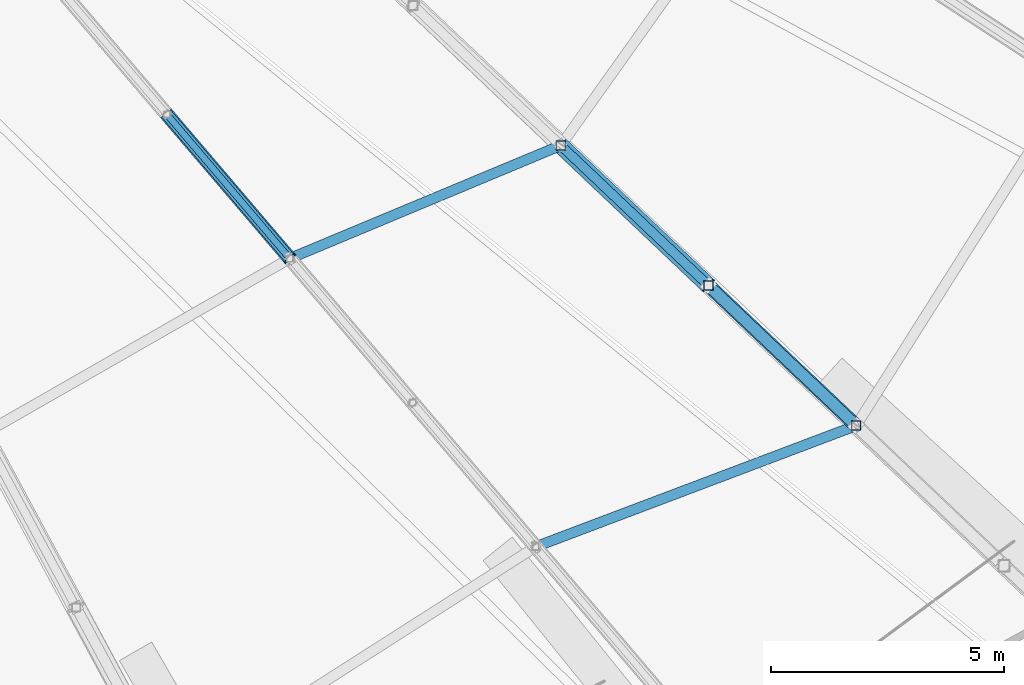
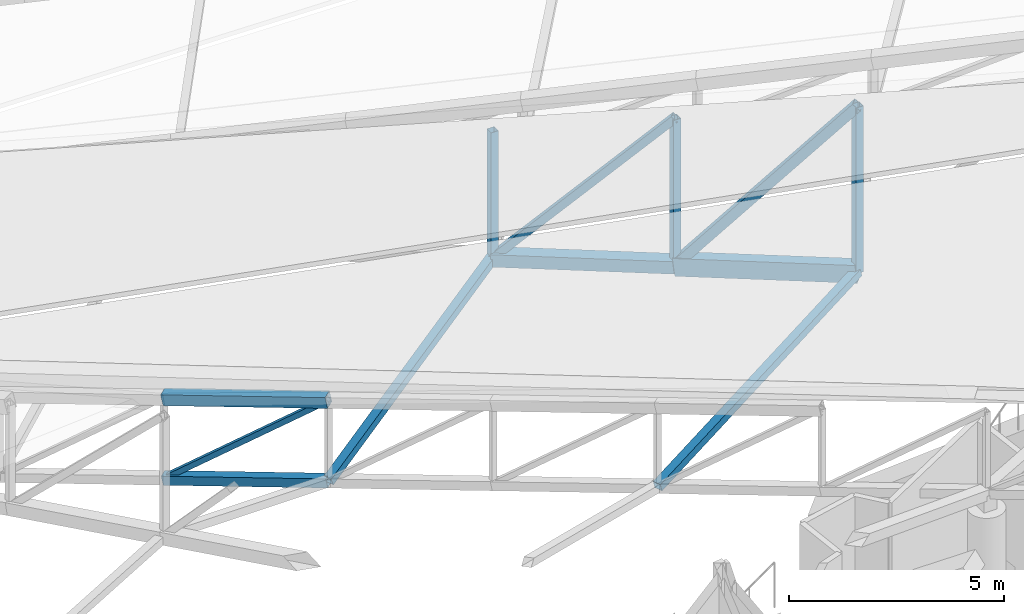
# One storey, part 77 of 344: 12 members.
"""IFC4 building model written with IfcOpenShell, lengths in metres."""

from ifc_helpers import new_model, si_unit, direction, frame, origin, origin_2d, place, context, subcontext, project, spatial, hollow_rectangle, extrude, material, material_profile, profile_set, type_object, element, save


model = new_model("IFC4")

# Units and contexts
model_context = context("Model", 3, precision=1e-05, world=origin(), true_north=direction((0.0, 1.0)))
body_context = subcontext(model_context, "Body", "Model", "MODEL_VIEW")
ifc_project = project(units=[si_unit("LENGTHUNIT", "METRE"), si_unit("AREAUNIT", "SQUARE_METRE"), si_unit("VOLUMEUNIT", "CUBIC_METRE"), si_unit("PLANEANGLEUNIT", "RADIAN"), si_unit("MASSUNIT", "GRAM", prefix="KILO")], contexts=[model_context])

# Site, building, storey
site_placement = place(None, origin())
site = spatial("IfcSite", under=ifc_project, at=site_placement, CompositionType="ELEMENT")
building_placement = place(site_placement, origin())
building = spatial("IfcBuilding", under=site, at=building_placement, Name="Meseta Stadium", CompositionType="ELEMENT")
storey_placement = place(building_placement, frame((0.0, 0.0, 24.0)))
storey = spatial("IfcBuildingStorey", under=building, at=storey_placement, Name="L04", CompositionType="ELEMENT", Elevation=24.0)

# Members
ifc_material_1 = material(Name="Steel S355", Category="steel")
ifc_material_profile_1 = material_profile(ifc_material_1, hollow_rectangle(XDim=0.300048828125, YDim=0.5, WallThickness=0.01611328125, at=origin_2d()), Name="RHS 500x300x16")
ifc_profile_set_1 = profile_set([ifc_material_profile_1], Name="Steel S355")
member_type_1 = type_object("IfcMemberType", Name="RHS 500x300x16 bottom chord", PredefinedType="CHORD", material=ifc_profile_set_1)
member_1_placement = place(storey_placement, frame((54.234375, -76.763916015625, 5.120361328125), z_axis=(0.720600756973, -0.683475868368, 0.116598826788), x_axis=(0.688169809663, 0.725549662717, 0.0)))
element("IfcMember", 1, at=member_1_placement, inside=storey, type_object=member_type_1, Name="ROOF TRUSS RT-52 bottom chord", PredefinedType="CHORD", context=body_context, shape_type="SweptSolid", body=[
    extrude(hollow_rectangle(XDim=0.300048828125, YDim=0.5, WallThickness=0.01611328125, at=origin_2d()), origin(), (0.0, 0.0, 1.0), 4.392822265625),
])
ifc_material_2 = material(Name="Steel S355", Category="steel")
ifc_material_profile_2 = material_profile(ifc_material_2, hollow_rectangle(XDim=0.139892578125, YDim=0.139892578125, WallThickness=0.0048828125, at=origin_2d()), Name="SHS 140x140x5")
ifc_profile_set_2 = profile_set([ifc_material_profile_2], Name="Steel S355")
member_type_2 = type_object("IfcMemberType", Name="SHS 140x140x5 diagonal", PredefinedType="BRACE", material=ifc_profile_set_2)
member_2_placement = place(storey_placement, frame((42.626220703125, -73.09521484375, 0.8837890625), z_axis=(0.511339991077, -0.599564144468, 0.615673818019), x_axis=(0.760867131587, 0.648907703816, 0.0)))
element("IfcMember", 2, at=member_2_placement, inside=storey, type_object=member_type_2, Name="ROOF TRUSS RT-51 diagonal", PredefinedType="BRACE", context=body_context, shape_type="SweptSolid", body=[
    extrude(hollow_rectangle(XDim=0.139892578125, YDim=0.139892578125, WallThickness=0.0048828125, at=origin_2d()), origin(), (0.0, 0.0, 1.0), 5.152587890625),
])
ifc_material_3 = material(Name="Steel S355", Category="steel")
ifc_material_profile_3 = material_profile(ifc_material_3, hollow_rectangle(XDim=0.199951171875, YDim=0.199951171875, WallThickness=0.008056640625, at=origin_2d()), Name="SHS 200x200x8")
ifc_profile_set_3 = profile_set([ifc_material_profile_3], Name="Steel S355")
member_type_3 = type_object("IfcMemberType", Name="SHS 200x200x8 diagonal", PredefinedType="BRACE", material=ifc_profile_set_3)
member_3_placement = place(storey_placement, frame((51.068603515625, -73.761474609375, 4.60791015625), z_axis=(0.495168346135, -0.469621371232, 0.730933701965), x_axis=(0.688141870449, 0.725576161499, 0.0)))
element("IfcMember", 3, at=member_3_placement, inside=storey, type_object=member_type_3, Name="ROOF TRUSS RT-52 diagonal", PredefinedType="BRACE", context=body_context, shape_type="SweptSolid", body=[
    extrude(hollow_rectangle(XDim=0.199951171875, YDim=0.199951171875, WallThickness=0.008056640625, at=origin_2d()), origin(), (0.0, 0.0, 1.0), 6.393310546875),
])
ifc_material_4 = material(Name="Steel S355", Category="steel")
ifc_material_profile_4 = material_profile(ifc_material_4, hollow_rectangle(XDim=0.199951171875, YDim=0.199951171875, WallThickness=0.008056640625, at=origin_2d()), Name="SHS 200x200x8")
ifc_profile_set_4 = profile_set([ifc_material_profile_4], Name="Steel S355")
member_type_4 = type_object("IfcMemberType", Name="SHS 200x200x8 post", PredefinedType="POST", material=ifc_profile_set_4)
member_4_placement = place(storey_placement, frame((51.068603515625, -73.761474609375, 4.60791015625), z_axis=(0.0, 0.0, 1.0), x_axis=(1.0, 0.0, 0.0)))
element("IfcMember", 4, at=member_4_placement, inside=storey, type_object=member_type_4, Name="ROOF TRUSS RT-52 post", PredefinedType="POST", context=body_context, shape_type="SweptSolid", body=[
    extrude(hollow_rectangle(XDim=0.199951171875, YDim=0.199951171875, WallThickness=0.008056640625, at=origin_2d()), origin(), (0.0, 0.0, 1.0), 3.608642578125),
])
member_5_placement = place(storey_placement, frame((54.234375, -76.763916015625, 5.120361328125), z_axis=(0.0, 0.0, 1.0), x_axis=(1.0, 0.0, 0.0)))
element("IfcMember", 5, at=member_5_placement, inside=storey, type_object=member_type_4, Name="ROOF TRUSS RT-52 post", PredefinedType="POST", context=body_context, shape_type="SweptSolid", body=[
    extrude(hollow_rectangle(XDim=0.199951171875, YDim=0.199951171875, WallThickness=0.008056640625, at=origin_2d()), origin(), (0.0, 0.0, 1.0), 4.16064453125),
])
member_6_placement = place(storey_placement, frame((57.39990234375, -79.766357421875, 5.632568359375), z_axis=(0.0, 0.0, 1.0), x_axis=(1.0, 0.0, 0.0)))
element("IfcMember", 6, at=member_6_placement, inside=storey, type_object=member_type_4, Name="ROOF TRUSS RT-52 post", PredefinedType="POST", context=body_context, shape_type="SweptSolid", body=[
    extrude(hollow_rectangle(XDim=0.199951171875, YDim=0.199951171875, WallThickness=0.008056640625, at=origin_2d()), origin(), (0.0, 0.0, 1.0), 4.713134765625),
])
ifc_material_5 = material(Name="Steel S355", Category="steel")
ifc_material_profile_5 = material_profile(ifc_material_5, hollow_rectangle(XDim=0.219970703125, YDim=0.219970703125, WallThickness=0.008056640625, at=origin_2d()), Name="SHS 220x220x8")
ifc_profile_set_5 = profile_set([ifc_material_profile_5], Name="Steel S355")
member_type_5 = type_object("IfcMemberType", Name="SHS 220x220x8 strut", PredefinedType="STRUT", material=ifc_profile_set_5)
member_7_placement = place(storey_placement, frame((45.260986328125, -76.1845703125, 1.756103515625), z_axis=(0.840601934105, 0.350721968891, 0.412774137896), x_axis=(-0.385056106705, 0.922893165371, 0.0)))
element("IfcMember", 7, at=member_7_placement, inside=storey, type_object=member_type_5, Name="ROOF TRUSS STRUT RT-51/52", PredefinedType="STRUT", context=body_context, shape_type="SweptSolid", body=[
    extrude(hollow_rectangle(XDim=0.219970703125, YDim=0.219970703125, WallThickness=0.008056640625, at=origin_2d()), origin(), (0.0, 0.0, 1.0), 6.908935546875),
])
member_8_placement = place(storey_placement, frame((50.5302734375, -82.363037109375, 3.5009765625), z_axis=(0.898330544792, 0.339563710086, 0.278744899658), x_axis=(-0.353577698148, 0.93540515894, 0.0)))
element("IfcMember", 8, at=member_8_placement, inside=storey, type_object=member_type_5, Name="ROOF TRUSS STRUT RT-51/52", PredefinedType="STRUT", context=body_context, shape_type="SweptSolid", body=[
    extrude(hollow_rectangle(XDim=0.219970703125, YDim=0.219970703125, WallThickness=0.008056640625, at=origin_2d()), origin(), (0.0, 0.0, 1.0), 7.647216796875),
])
ifc_material_6 = material(Name="Steel S355", Category="steel")
ifc_material_profile_6 = material_profile(ifc_material_6, hollow_rectangle(XDim=0.25, YDim=0.25, WallThickness=0.010009765625, at=origin_2d()), Name="SHS 250x250x10")
ifc_profile_set_6 = profile_set([ifc_material_profile_6], Name="Steel S355")
member_type_6 = type_object("IfcMemberType", Name="SHS 250x250x10 bottom chord", PredefinedType="CHORD", material=ifc_profile_set_6)
member_9_placement = place(storey_placement, frame((42.626220703125, -73.09521484375, 0.8837890625), z_axis=(0.634431456669, -0.74389322208, 0.210046663703), x_axis=(0.760867131587, 0.648907703816, 0.0)))
element("IfcMember", 9, at=member_9_placement, inside=storey, type_object=member_type_6, Name="ROOF TRUSS RT-51 bottom chord", PredefinedType="CHORD", context=body_context, shape_type="SweptSolid", body=[
    extrude(hollow_rectangle(XDim=0.25, YDim=0.25, WallThickness=0.010009765625, at=origin_2d()), origin(), (0.0, 0.0, 1.0), 4.153076171875),
])
ifc_material_7 = material(Name="Steel S355", Category="steel")
ifc_material_profile_7 = material_profile(ifc_material_7, hollow_rectangle(XDim=0.25, YDim=0.25, WallThickness=0.010009765625, at=origin_2d()), Name="SHS 250x250x10")
ifc_profile_set_7 = profile_set([ifc_material_profile_7], Name="Steel S355")
member_type_7 = type_object("IfcMemberType", Name="SHS 250x250x10 diagonal", PredefinedType="BRACE", material=ifc_profile_set_7)
member_10_placement = place(storey_placement, frame((54.234375, -76.763916015625, 5.120361328125), z_axis=(0.465019106638, -0.441061620656, 0.767607892902), x_axis=(0.688169809663, 0.725549662717, 0.0)))
element("IfcMember", 10, at=member_10_placement, inside=storey, type_object=member_type_7, Name="ROOF TRUSS RT-52 diagonal", PredefinedType="BRACE", context=body_context, shape_type="SweptSolid", body=[
    extrude(hollow_rectangle(XDim=0.25, YDim=0.25, WallThickness=0.010009765625, at=origin_2d()), origin(), (0.0, 0.0, 1.0), 6.807373046875),
])
ifc_material_8 = material(Name="Steel S355", Category="steel")
ifc_material_profile_8 = material_profile(ifc_material_8, hollow_rectangle(XDim=0.300048828125, YDim=0.300048828125, WallThickness=0.010009765625, at=origin_2d()), Name="SHS 300x300x10")
ifc_profile_set_8 = profile_set([ifc_material_profile_8], Name="Steel S355")
member_type_8 = type_object("IfcMemberType", Name="SHS 300x300x10 top chord", PredefinedType="CHORD", material=ifc_profile_set_8)
member_11_placement = place(storey_placement, frame((42.626220703125, -73.09521484375, 3.183837890625), z_axis=(0.634431456669, -0.74389322208, 0.210046663703), x_axis=(0.760867131587, 0.648907703816, 0.0)))
element("IfcMember", 11, at=member_11_placement, inside=storey, type_object=member_type_8, Name="ROOF TRUSS RT-51 top chord", PredefinedType="CHORD", context=body_context, shape_type="SweptSolid", body=[
    extrude(hollow_rectangle(XDim=0.300048828125, YDim=0.300048828125, WallThickness=0.010009765625, at=origin_2d()), origin(), (0.0, 0.0, 1.0), 4.153076171875),
])
ifc_material_9 = material(Name="Steel S355", Category="steel")
ifc_material_profile_9 = material_profile(ifc_material_9, hollow_rectangle(XDim=0.35009765625, YDim=0.35009765625, WallThickness=0.01416015625, at=origin_2d()), Name="SHS 350x350x14.2")
ifc_profile_set_9 = profile_set([ifc_material_profile_9], Name="Steel S355")
member_type_9 = type_object("IfcMemberType", Name="SHS 350x350x14.2 bottom chord", PredefinedType="CHORD", material=ifc_profile_set_9)
member_12_placement = place(storey_placement, frame((51.068603515625, -73.761474609375, 4.60791015625), z_axis=(0.720622802314, -0.683444067468, 0.116648975249), x_axis=(0.688141870449, 0.725576161499, 0.0)))
element("IfcMember", 12, at=member_12_placement, inside=storey, type_object=member_type_9, Name="ROOF TRUSS RT-52 bottom chord", PredefinedType="CHORD", context=body_context, shape_type="SweptSolid", body=[
    extrude(hollow_rectangle(XDim=0.35009765625, YDim=0.35009765625, WallThickness=0.01416015625, at=origin_2d()), origin(), (0.0, 0.0, 1.0), 4.39306640625),
])

save(model, "model.ifc")
